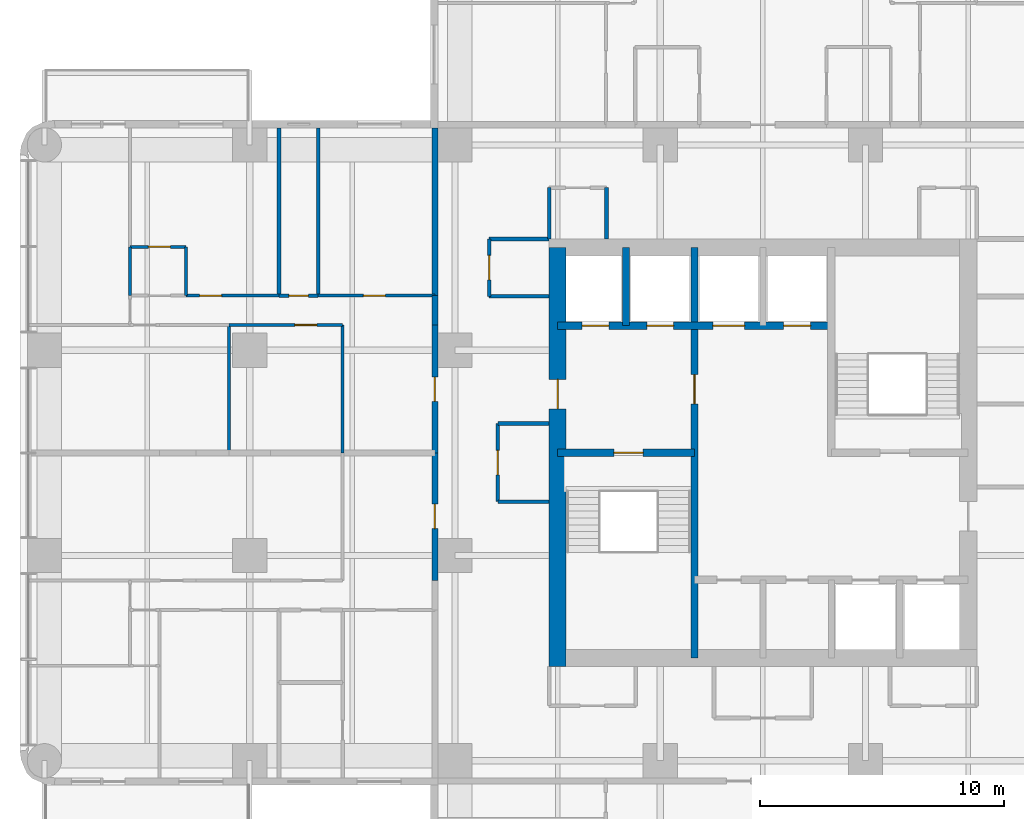
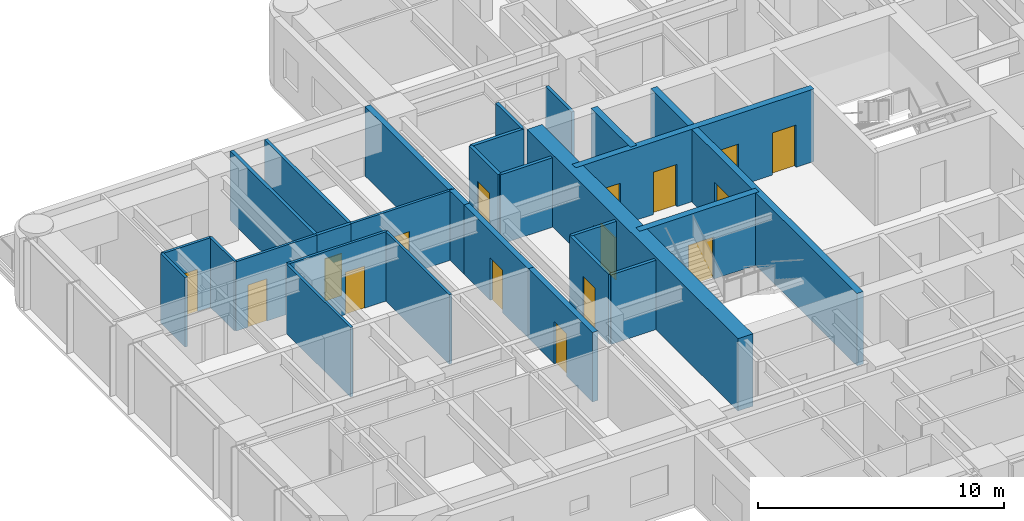
# One storey, part 6 of 11: 28 walls, 16 doors, 16 openings.
"""IFC4 building model written with IfcOpenShell, lengths in metres."""

from ifc_helpers import new_model, si_unit, direction, frame, frame_2d, origin, place, context, subcontext, project, spatial, rectangle, extrude, material, layer, layer_set, type_object, element, fill, save


model = new_model("IFC4")

# Units and contexts
model_context = context("Model", 3, precision=1e-05, world=origin(), true_north=direction((0.0, 1.0)))
body_context = subcontext(model_context, "Body", "Model", "MODEL_VIEW")
ifc_project = project(units=[si_unit("LENGTHUNIT", "METRE"), si_unit("AREAUNIT", "SQUARE_METRE"), si_unit("VOLUMEUNIT", "CUBIC_METRE"), si_unit("PLANEANGLEUNIT", "RADIAN"), si_unit("MASSUNIT", "GRAM", prefix="KILO")], contexts=[model_context])

# Site, building, storey
site_placement = place(None, origin())
site = spatial("IfcSite", under=ifc_project, at=site_placement, CompositionType="ELEMENT")
building_placement = place(site_placement, origin())
building = spatial("IfcBuilding", under=site, at=building_placement, Name="Torre Alcanfor", CompositionType="ELEMENT")
storey_placement = place(building_placement, frame((0.0, 0.0, 230.10009765625)))
storey = spatial("IfcBuildingStorey", under=building, at=storey_placement, Name="L60", CompositionType="ELEMENT", Elevation=230.10009765625)

# Wall, opening, door
ifc_material_1 = material(Name="Concrete block masonry, hollow blocks NMX-C-404 9 MPa", Category="masonry")
ifc_layer_1 = layer(ifc_material_1, 0.25)
ifc_layer_set_1 = layer_set([ifc_layer_1], Name="Apartment entrance wall 250 EI 60")
wall_type_1 = type_object("IfcWallType", Name="Apartment entrance wall 250 EI 60", PredefinedType="PARTITIONING", material=ifc_layer_set_1)
wall_1_placement = place(storey_placement, frame((15.97509765625, 24.1708984375, 0.0), z_axis=(0.0, 0.0, 1.0), x_axis=(0.0, 1.0, 0.0)))
wall_1 = element("IfcWall", 1, at=wall_1_placement, inside=storey, type_object=wall_type_1, Name="Partition L60-CORR / L60-W1-ZAG", PredefinedType="PARTITIONING", context=body_context, shape_type="SweptSolid", body=[
    extrude(rectangle(XDim=5.22900390625, YDim=0.25, at=frame_2d((2.614501953125, 0.0))), origin(), (0.0, 0.0, 1.0), 3.449951171875),
])
opening_1_placement = place(wall_1_placement, frame((2.12890625, 0.0, 0.0)))
opening_1 = element("IfcOpeningElement", 2, at=opening_1_placement, cuts=wall_1, Name="Opening D-A1", PredefinedType="OPENING", context=body_context, shape_type="SweptSolid", body=[
    extrude(rectangle(XDim=1.0, YDim=2.10009765625, at=frame_2d((0.5, 1.050048828125))), frame((0.0, 0.135009765625, 0.0), z_axis=(0.0, -1.0, 0.0), x_axis=(1.0, 0.0, 0.0)), (0.0, 0.0, 1.0), 0.27001953125),
])
ifc_material_2 = material(Name="Galvanised steel sheet ASTM A653", Category="steel")
door_type_1 = type_object("IfcDoorType", Name="Apartment entrance door FD60 1000x2100", OperationType="SINGLE_SWING_LEFT", PredefinedType="DOOR", material=ifc_material_2)
door_1_placement = place(opening_1_placement, origin())
door_1 = element("IfcDoor", 3, at=door_1_placement, inside=storey, type_object=door_type_1, Name="Apartment entrance L60-W1", OperationType="SINGLE_SWING_RIGHT", OverallHeight=2.10009765625, OverallWidth=1.0, PredefinedType="DOOR", context=body_context, shape_type="SweptSolid", body=[
    extrude(rectangle(XDim=1.0, YDim=2.10009765625, at=frame_2d((0.5, 1.050048828125))), frame((0.0, 0.02490234375, 0.0), z_axis=(0.0, -1.0, 0.0), x_axis=(1.0, 0.0, 0.0)), (0.0, 0.0, 1.0), 0.050048828125),
])
fill(opening_1, door_1)

wall_2_placement = place(storey_placement, frame((15.97509765625, 29.39990234375, 0.0), z_axis=(0.0, 0.0, 1.0), x_axis=(0.0, 1.0, 0.0)))
wall_2 = element("IfcWall", 4, at=wall_2_placement, inside=storey, type_object=wall_type_1, Name="Partition L60-CORR / L60-W2-ZAG", PredefinedType="PARTITIONING", context=body_context, shape_type="SweptSolid", body=[
    extrude(rectangle(XDim=5.22900390625, YDim=0.25, at=frame_2d((2.614501953125, 0.0))), origin(), (0.0, 0.0, 1.0), 3.449951171875),
])
opening_2_placement = place(wall_2_placement, frame((2.10009765625, 0.0, 0.0)))
opening_2 = element("IfcOpeningElement", 5, at=opening_2_placement, cuts=wall_2, Name="Opening D-A1", PredefinedType="OPENING", context=body_context, shape_type="SweptSolid", body=[
    extrude(rectangle(XDim=1.0, YDim=2.10009765625, at=frame_2d((0.5, 1.050048828125))), frame((0.0, 0.135009765625, 0.0), z_axis=(0.0, -1.0, 0.0), x_axis=(1.0, 0.0, 0.0)), (0.0, 0.0, 1.0), 0.27001953125),
])
door_2_placement = place(opening_2_placement, origin())
door_2 = element("IfcDoor", 6, at=door_2_placement, inside=storey, type_object=door_type_1, Name="Apartment entrance L60-W2", OperationType="SINGLE_SWING_LEFT", OverallHeight=2.10009765625, OverallWidth=1.0, PredefinedType="DOOR", context=body_context, shape_type="SweptSolid", body=[
    extrude(rectangle(XDim=1.0, YDim=2.10009765625, at=frame_2d((0.5, 1.050048828125))), frame((0.0, 0.02490234375, 0.0), z_axis=(0.0, -1.0, 0.0), x_axis=(1.0, 0.0, 0.0)), (0.0, 0.0, 1.0), 0.050048828125),
])
fill(opening_2, door_2)

# Walls
wall_3_placement = place(storey_placement, frame((15.97509765625, 34.62890625, 0.0), z_axis=(0.0, 0.0, 1.0), x_axis=(0.0, 1.0, 0.0)))
element("IfcWall", 7, at=wall_3_placement, inside=storey, type_object=wall_type_1, Name="Partition L60-CORR / L60-W2-HALL", PredefinedType="PARTITIONING", context=body_context, shape_type="SweptSolid", body=[
    extrude(rectangle(XDim=1.2001953125, YDim=0.25, at=frame_2d((0.60009765625, 0.0))), origin(), (0.0, 0.0, 1.0), 3.449951171875),
])
wall_4_placement = place(storey_placement, frame((15.97509765625, 35.8291015625, 0.0), z_axis=(0.0, 0.0, 1.0), x_axis=(0.0, 1.0, 0.0)))
element("IfcWall", 8, at=wall_4_placement, inside=storey, type_object=wall_type_1, Name="Partition L60-CORR / L60-W2-BED2", PredefinedType="PARTITIONING", context=body_context, shape_type="SweptSolid", body=[
    extrude(rectangle(XDim=6.870849609375, YDim=0.25, at=frame_2d((3.435546875, 0.0))), origin(), (0.0, 0.0, 1.0), 3.449951171875),
])
ifc_material_3 = material(Name="Gypsum board on steel studs", Category="steel")
ifc_layer_2 = layer(ifc_material_3, 0.1201171875)
ifc_layer_set_2 = layer_set([ifc_layer_2], Name="Apartment partition 120")
wall_type_2 = type_object("IfcWallType", Name="Apartment partition 120", PredefinedType="PARTITIONING", material=ifc_layer_set_2)
for number, where, z_axis, x_axis, name in (
    (9, (12.199951171875, 29.39990234375, 0.0), (0.0, 0.0, 1.0), (0.0, 1.0, 0.0), "Partition L60-W2-ZAG / L60-W2-FAMILY"),
    (10, (7.550048828125, 29.39990234375, 0.0), (0.0, 0.0, 1.0), (0.0, 1.0, 0.0), "Partition L60-W2-FAMILY / L60-W2-KITCHEN"),
):
    element("IfcWall", number, at=place(storey_placement, frame(where, z_axis=z_axis, x_axis=x_axis)), inside=storey, type_object=wall_type_2, Name=name, PredefinedType="PARTITIONING", context=body_context, shape_type="SweptSolid", body=[
        extrude(rectangle(XDim=5.22900390625, YDim=0.1201171875, at=frame_2d((2.614501953125, 0.0))), origin(), (0.0, 0.0, 1.0), 3.449951171875),
    ])

# Wall, opening, door
wall_5_placement = place(storey_placement, frame((7.550048828125, 34.62890625, 0.0), z_axis=(0.0, 0.0, 1.0), x_axis=(1.0, 0.0, 0.0)))
wall_5 = element("IfcWall", 11, at=wall_5_placement, inside=storey, type_object=wall_type_2, Name="Partition L60-W2-FAMILY / L60-W2-HALL", PredefinedType="PARTITIONING", context=body_context, shape_type="SweptSolid", body=[
    extrude(rectangle(XDim=4.64990234375, YDim=0.1201171875, at=frame_2d((2.324951171875, 0.0))), origin(), (0.0, 0.0, 1.0), 3.449951171875),
])
opening_3_placement = place(wall_5_placement, frame((2.699951171875, 0.0, 0.0)))
opening_3 = element("IfcOpeningElement", 12, at=opening_3_placement, cuts=wall_5, Name="Opening D-R1", PredefinedType="OPENING", context=body_context, shape_type="SweptSolid", body=[
    extrude(rectangle(XDim=0.89990234375, YDim=2.10009765625, at=frame_2d((0.449951171875, 1.050048828125))), frame((0.0, 0.070068359375, 0.0), z_axis=(0.0, -1.0, 0.0), x_axis=(1.0, 0.0, 0.0)), (0.0, 0.0, 1.0), 0.14013671875),
])
ifc_material_4 = material(Name="Timber", Category="wood")
door_type_2 = type_object("IfcDoorType", Name="Internal door 900x2100", OperationType="SINGLE_SWING_LEFT", PredefinedType="DOOR", material=ifc_material_4)
door_3_placement = place(opening_3_placement, frame((0.89990234375, 0.0, 0.0), z_axis=(0.0, 0.0, 1.0), x_axis=(-1.0, 0.0, 0.0)))
door_3 = element("IfcDoor", 13, at=door_3_placement, inside=storey, type_object=door_type_2, Name="Door L60-W2 family", OperationType="SINGLE_SWING_LEFT", OverallHeight=2.10009765625, OverallWidth=0.89990234375, PredefinedType="DOOR", context=body_context, shape_type="SweptSolid", body=[
    extrude(rectangle(XDim=0.89990234375, YDim=2.10009765625, at=frame_2d((0.449951171875, 1.050048828125))), frame((0.0, 0.025146484375, 0.0), z_axis=(0.0, -1.0, 0.0), x_axis=(1.0, 0.0, 0.0)), (0.0, 0.0, 1.0), 0.050048828125),
])
fill(opening_3, door_3)

wall_6_placement = place(storey_placement, frame((11.199951171875, 35.8291015625, 0.0), z_axis=(0.0, 0.0, 1.0), x_axis=(1.0, 0.0, 0.0)))
wall_6 = element("IfcWall", 14, at=wall_6_placement, inside=storey, type_object=wall_type_2, Name="Partition L60-W2-HALL / L60-W2-BED2", PredefinedType="PARTITIONING", context=body_context, shape_type="SweptSolid", body=[
    extrude(rectangle(XDim=4.775146484375, YDim=0.1201171875, at=frame_2d((2.3876953125, 0.0))), origin(), (0.0, 0.0, 1.0), 3.449951171875),
])
opening_4_placement = place(wall_6_placement, frame((1.85009765625, 0.0, 0.0)))
opening_4 = element("IfcOpeningElement", 15, at=opening_4_placement, cuts=wall_6, Name="Opening D-R1", PredefinedType="OPENING", context=body_context, shape_type="SweptSolid", body=[
    extrude(rectangle(XDim=0.89990234375, YDim=2.10009765625, at=frame_2d((0.449951171875, 1.050048828125))), frame((0.0, 0.070068359375, 0.0), z_axis=(0.0, -1.0, 0.0), x_axis=(1.0, 0.0, 0.0)), (0.0, 0.0, 1.0), 0.14013671875),
])
door_4_placement = place(opening_4_placement, origin())
door_4 = element("IfcDoor", 16, at=door_4_placement, inside=storey, type_object=door_type_2, Name="Door L60-W2 bed2", OperationType="SINGLE_SWING_LEFT", OverallHeight=2.10009765625, OverallWidth=0.89990234375, PredefinedType="DOOR", context=body_context, shape_type="SweptSolid", body=[
    extrude(rectangle(XDim=0.89990234375, YDim=2.10009765625, at=frame_2d((0.449951171875, 1.050048828125))), frame((0.0, 0.02490234375, 0.0), z_axis=(0.0, -1.0, 0.0), x_axis=(1.0, 0.0, 0.0)), (0.0, 0.0, 1.0), 0.050048828125),
])
fill(opening_4, door_4)

wall_7_placement = place(storey_placement, frame((5.800048828125, 35.8291015625, 0.0), z_axis=(0.0, 0.0, 1.0), x_axis=(1.0, 0.0, 0.0)))
wall_7 = element("IfcWall", 17, at=wall_7_placement, inside=storey, type_object=wall_type_2, Name="Partition L60-W2-HALL / L60-W2-MASTER", PredefinedType="PARTITIONING", context=body_context, shape_type="SweptSolid", body=[
    extrude(rectangle(XDim=3.800048828125, YDim=0.1201171875, at=frame_2d((1.89990234375, 0.0))), origin(), (0.0, 0.0, 1.0), 3.449951171875),
])
opening_5_placement = place(wall_7_placement, frame((0.550048828125, 0.0, 0.0)))
opening_5 = element("IfcOpeningElement", 18, at=opening_5_placement, cuts=wall_7, Name="Opening D-R1", PredefinedType="OPENING", context=body_context, shape_type="SweptSolid", body=[
    extrude(rectangle(XDim=0.89990234375, YDim=2.10009765625, at=frame_2d((0.449951171875, 1.050048828125))), frame((0.0, 0.070068359375, 0.0), z_axis=(0.0, -1.0, 0.0), x_axis=(1.0, 0.0, 0.0)), (0.0, 0.0, 1.0), 0.14013671875),
])
door_5_placement = place(opening_5_placement, origin())
door_5 = element("IfcDoor", 19, at=door_5_placement, inside=storey, type_object=door_type_2, Name="Door L60-W2 master", OperationType="SINGLE_SWING_LEFT", OverallHeight=2.10009765625, OverallWidth=0.89990234375, PredefinedType="DOOR", context=body_context, shape_type="SweptSolid", body=[
    extrude(rectangle(XDim=0.89990234375, YDim=2.10009765625, at=frame_2d((0.449951171875, 1.050048828125))), frame((0.0, 0.02490234375, 0.0), z_axis=(0.0, -1.0, 0.0), x_axis=(1.0, 0.0, 0.0)), (0.0, 0.0, 1.0), 0.050048828125),
])
fill(opening_5, door_5)

# Wall
wall_8_placement = place(storey_placement, frame((5.800048828125, 35.8291015625, 0.0), z_axis=(0.0, 0.0, 1.0), x_axis=(0.0, 1.0, 0.0)))
element("IfcWall", 20, at=wall_8_placement, inside=storey, type_object=wall_type_2, Name="Partition L60-W2-MASTER / L60-W2-VEST", PredefinedType="PARTITIONING", context=body_context, shape_type="SweptSolid", body=[
    extrude(rectangle(XDim=2.0, YDim=0.1201171875, at=frame_2d((1.0, 0.0))), origin(), (0.0, 0.0, 1.0), 3.449951171875),
])

# Wall, opening, door
wall_9_placement = place(storey_placement, frame((5.800048828125, 37.8291015625, 0.0), z_axis=(0.0, 0.0, 1.0), x_axis=(-1.0, 0.0, 0.0)))
wall_9 = element("IfcWall", 21, at=wall_9_placement, inside=storey, type_object=wall_type_2, Name="Partition L60-W2-MASTER / L60-W2-VEST", PredefinedType="PARTITIONING", context=body_context, shape_type="SweptSolid", body=[
    extrude(rectangle(XDim=2.300048828125, YDim=0.1201171875, at=frame_2d((1.14990234375, 0.0))), origin(), (0.0, 0.0, 1.0), 3.449951171875),
])
opening_6_placement = place(wall_9_placement, frame((0.64990234375, 0.0, 0.0)))
opening_6 = element("IfcOpeningElement", 22, at=opening_6_placement, cuts=wall_9, Name="Opening D-R1", PredefinedType="OPENING", context=body_context, shape_type="SweptSolid", body=[
    extrude(rectangle(XDim=0.89990234375, YDim=2.10009765625, at=frame_2d((0.449951171875, 1.050048828125))), frame((0.0, 0.070068359375, 0.0), z_axis=(0.0, -1.0, 0.0), x_axis=(1.0, 0.0, 0.0)), (0.0, 0.0, 1.0), 0.14013671875),
])
door_6_placement = place(opening_6_placement, origin())
door_6 = element("IfcDoor", 23, at=door_6_placement, inside=storey, type_object=door_type_2, Name="Door L60-W2 master", OperationType="SINGLE_SWING_LEFT", OverallHeight=2.10009765625, OverallWidth=0.89990234375, PredefinedType="DOOR", context=body_context, shape_type="SweptSolid", body=[
    extrude(rectangle(XDim=0.89990234375, YDim=2.10009765625, at=frame_2d((0.449951171875, 1.050048828125))), frame((0.0, 0.02490234375, 0.0), z_axis=(0.0, -1.0, 0.0), x_axis=(1.0, 0.0, 0.0)), (0.0, 0.0, 1.0), 0.050048828125),
])
fill(opening_6, door_6)

# Wall
wall_10_placement = place(storey_placement, frame((3.5, 35.8291015625, 0.0), z_axis=(0.0, 0.0, 1.0), x_axis=(0.0, 1.0, 0.0)))
element("IfcWall", 24, at=wall_10_placement, inside=storey, type_object=wall_type_2, Name="Partition L60-W2-VEST / L60-W2-WGARD", PredefinedType="PARTITIONING", context=body_context, shape_type="SweptSolid", body=[
    extrude(rectangle(XDim=2.0, YDim=0.1201171875, at=frame_2d((1.0, 0.0))), origin(), (0.0, 0.0, 1.0), 3.449951171875),
])

# Wall, opening, door
ifc_material_5 = material(Name="Concrete f'c 70 MPa", Category="concrete")
ifc_layer_3 = layer(ifc_material_5, 0.300048828125)
ifc_layer_set_3 = layer_set([ifc_layer_3], Name="Core inner wall 300 f'c70")
wall_type_3 = type_object("IfcWallType", Name="Core inner wall 300 f'c70", PredefinedType="SHEAR", material=ifc_layer_set_3)
wall_11_placement = place(storey_placement, frame((26.60009765625, 21.0, 0.0), z_axis=(0.0, 0.0, 1.0), x_axis=(0.0, 1.0, 0.0)))
wall_11 = element("IfcWall", 25, at=wall_11_placement, inside=storey, type_object=wall_type_3, Name="Core wall X266 L60", PredefinedType="SHEAR", context=body_context, shape_type="SweptSolid", body=[
    extrude(rectangle(XDim=16.800048828125, YDim=0.300048828125, at=frame_2d((8.39990234375, 0.0))), origin(), (0.0, 0.0, 1.0), 3.599853515625),
])
opening_7_placement = place(wall_11_placement, frame((10.39990234375, 0.0, 0.0)))
opening_7 = element("IfcOpeningElement", 26, at=opening_7_placement, cuts=wall_11, Name="Opening D-L1", PredefinedType="OPENING", context=body_context, shape_type="SweptSolid", body=[
    extrude(rectangle(XDim=1.199951171875, YDim=2.10009765625, at=frame_2d((0.60009765625, 1.050048828125))), frame((0.0, 0.159912109375, 0.0), z_axis=(0.0, -1.0, 0.0), x_axis=(1.0, 0.0, 0.0)), (0.0, 0.0, 1.0), 0.320068359375),
])
ifc_material_6 = material(Name="Galvanised steel sheet ASTM A653", Category="steel")
door_type_3 = type_object("IfcDoorType", Name="Lobby door FD120 1200x2100", OperationType="SINGLE_SWING_LEFT", PredefinedType="DOOR", material=ifc_material_6)
door_7_placement = place(opening_7_placement, origin())
door_7 = element("IfcDoor", 27, at=door_7_placement, inside=storey, type_object=door_type_3, Name="Lift lobby door L60", OperationType="SINGLE_SWING_LEFT", OverallHeight=2.10009765625, OverallWidth=1.199951171875, PredefinedType="DOOR", context=body_context, shape_type="SweptSolid", body=[
    extrude(rectangle(XDim=1.199951171875, YDim=2.10009765625, at=frame_2d((0.60009765625, 1.050048828125))), frame((0.0, 0.02490234375, 0.0), z_axis=(0.0, -1.0, 0.0), x_axis=(1.0, 0.0, 0.0)), (0.0, 0.0, 1.0), 0.050048828125),
])
fill(opening_7, door_7)

wall_12_placement = place(storey_placement, frame((21.0, 29.39990234375, 0.0), z_axis=(0.0, 0.0, 1.0), x_axis=(1.0, 0.0, 0.0)))
wall_12 = element("IfcWall", 28, at=wall_12_placement, inside=storey, type_object=wall_type_3, Name="Core wall Y294W L60", PredefinedType="SHEAR", context=body_context, shape_type="SweptSolid", body=[
    extrude(rectangle(XDim=5.60009765625, YDim=0.300048828125, at=frame_2d((2.800048828125, 0.0))), origin(), (0.0, 0.0, 1.0), 3.599853515625),
])
opening_8_placement = place(wall_12_placement, frame((2.300048828125, 0.0, 0.0)))
opening_8 = element("IfcOpeningElement", 29, at=opening_8_placement, cuts=wall_12, Name="Opening D-S2", PredefinedType="OPENING", context=body_context, shape_type="SweptSolid", body=[
    extrude(rectangle(XDim=1.199951171875, YDim=2.10009765625, at=frame_2d((0.60009765625, 1.050048828125))), frame((0.0, 0.159912109375, 0.0), z_axis=(0.0, -1.0, 0.0), x_axis=(1.0, 0.0, 0.0)), (0.0, 0.0, 1.0), 0.320068359375),
])
ifc_material_7 = material(Name="Galvanised steel sheet ASTM A653", Category="steel")
door_type_4 = type_object("IfcDoorType", Name="Stair enclosure door FD120 1200x2100", OperationType="SINGLE_SWING_LEFT", PredefinedType="DOOR", material=ifc_material_7)
door_8_placement = place(opening_8_placement, frame((1.199951171875, 0.0, 0.0), z_axis=(0.0, 0.0, 1.0), x_axis=(-1.0, 0.0, 0.0)))
door_8 = element("IfcDoor", 30, at=door_8_placement, inside=storey, type_object=door_type_4, Name="Stair S1 door L60", OperationType="SINGLE_SWING_LEFT", OverallHeight=2.10009765625, OverallWidth=1.199951171875, PredefinedType="DOOR", context=body_context, shape_type="SweptSolid", body=[
    extrude(rectangle(XDim=1.199951171875, YDim=2.10009765625, at=frame_2d((0.599853515625, 1.050048828125))), frame((0.0, 0.025146484375, 0.0), z_axis=(0.0, -1.0, 0.0), x_axis=(1.0, 0.0, 0.0)), (0.0, 0.0, 1.0), 0.050048828125),
])
fill(opening_8, door_8)

# Wall, openings, doors
wall_13_placement = place(storey_placement, frame((21.0, 34.60009765625, 0.0), z_axis=(0.0, 0.0, 1.0), x_axis=(1.0, 0.0, 0.0)))
wall_13 = element("IfcWall", 31, at=wall_13_placement, inside=storey, type_object=wall_type_3, Name="Core wall Y346 L60", PredefinedType="SHEAR", context=body_context, shape_type="SweptSolid", body=[
    extrude(rectangle(XDim=11.199951171875, YDim=0.300048828125, at=frame_2d((5.60009765625, 0.0))), origin(), (0.0, 0.0, 1.0), 3.599853515625),
])
opening_9_placement = place(wall_13_placement, frame((9.25, 0.0, 0.0)))
opening_9 = element("IfcOpeningElement", 32, at=opening_9_placement, cuts=wall_13, Name="Opening LD1", PredefinedType="OPENING", context=body_context, shape_type="SweptSolid", body=[
    extrude(rectangle(XDim=1.10009765625, YDim=2.10009765625, at=frame_2d((0.550048828125, 1.050048828125))), frame((0.0, 0.159912109375, 0.0), z_axis=(0.0, -1.0, 0.0), x_axis=(1.0, 0.0, 0.0)), (0.0, 0.0, 1.0), 0.320068359375),
])
opening_10_placement = place(wall_13_placement, frame((1.0, 0.0, 0.0)))
opening_10 = element("IfcOpeningElement", 33, at=opening_10_placement, cuts=wall_13, Name="Opening LD2", PredefinedType="OPENING", context=body_context, shape_type="SweptSolid", body=[
    extrude(rectangle(XDim=1.10009765625, YDim=2.10009765625, at=frame_2d((0.550048828125, 1.050048828125))), frame((0.0, 0.159912109375, 0.0), z_axis=(0.0, -1.0, 0.0), x_axis=(1.0, 0.0, 0.0)), (0.0, 0.0, 1.0), 0.320068359375),
])
opening_11_placement = place(wall_13_placement, frame((3.64990234375, 0.0, 0.0)))
opening_11 = element("IfcOpeningElement", 34, at=opening_11_placement, cuts=wall_13, Name="Opening LD2", PredefinedType="OPENING", context=body_context, shape_type="SweptSolid", body=[
    extrude(rectangle(XDim=1.10009765625, YDim=2.10009765625, at=frame_2d((0.550048828125, 1.050048828125))), frame((0.0, 0.159912109375, 0.0), z_axis=(0.0, -1.0, 0.0), x_axis=(1.0, 0.0, 0.0)), (0.0, 0.0, 1.0), 0.320068359375),
])
opening_12_placement = place(wall_13_placement, frame((6.35009765625, 0.0, 0.0)))
opening_12 = element("IfcOpeningElement", 35, at=opening_12_placement, cuts=wall_13, Name="Opening LD3", PredefinedType="OPENING", context=body_context, shape_type="SweptSolid", body=[
    extrude(rectangle(XDim=1.300048828125, YDim=2.10009765625, at=frame_2d((0.64990234375, 1.050048828125))), frame((0.0, 0.159912109375, 0.0), z_axis=(0.0, -1.0, 0.0), x_axis=(1.0, 0.0, 0.0)), (0.0, 0.0, 1.0), 0.320068359375),
])
ifc_material_8 = material(Name="Galvanised steel sheet ASTM A653", Category="steel")
door_type_5 = type_object("IfcDoorType", Name="Firefighting lift landing door 1100x2100", OperationType="DOUBLE_DOOR_SLIDING", PredefinedType="DOOR", material=ifc_material_8)
door_9_placement = place(opening_10_placement, origin())
door_9 = element("IfcDoor", 36, at=door_9_placement, inside=storey, type_object=door_type_5, Name="Lift landing door FL1 L60", OperationType="DOUBLE_DOOR_SLIDING", OverallHeight=2.10009765625, OverallWidth=1.10009765625, PredefinedType="DOOR", context=body_context, shape_type="SweptSolid", body=[
    extrude(rectangle(XDim=1.10009765625, YDim=2.10009765625, at=frame_2d((0.550048828125, 1.050048828125))), frame((0.0, 0.02490234375, 0.0), z_axis=(0.0, -1.0, 0.0), x_axis=(1.0, 0.0, 0.0)), (0.0, 0.0, 1.0), 0.050048828125),
])
fill(opening_10, door_9)
door_10_placement = place(opening_11_placement, origin())
door_10 = element("IfcDoor", 37, at=door_10_placement, inside=storey, type_object=door_type_5, Name="Lift landing door FL2 L60", OperationType="DOUBLE_DOOR_SLIDING", OverallHeight=2.10009765625, OverallWidth=1.10009765625, PredefinedType="DOOR", context=body_context, shape_type="SweptSolid", body=[
    extrude(rectangle(XDim=1.10009765625, YDim=2.10009765625, at=frame_2d((0.550048828125, 1.050048828125))), frame((0.0, 0.02490234375, 0.0), z_axis=(0.0, -1.0, 0.0), x_axis=(1.0, 0.0, 0.0)), (0.0, 0.0, 1.0), 0.050048828125),
])
fill(opening_11, door_10)
ifc_material_9 = material(Name="Galvanised steel sheet ASTM A653", Category="steel")
door_type_6 = type_object("IfcDoorType", Name="Lift landing door 1100x2100", OperationType="DOUBLE_DOOR_SLIDING", PredefinedType="DOOR", material=ifc_material_9)
door_11_placement = place(opening_9_placement, origin())
door_11 = element("IfcDoor", 38, at=door_11_placement, inside=storey, type_object=door_type_6, Name="Lift landing door PA5 L60", OperationType="DOUBLE_DOOR_SLIDING", OverallHeight=2.10009765625, OverallWidth=1.10009765625, PredefinedType="DOOR", context=body_context, shape_type="SweptSolid", body=[
    extrude(rectangle(XDim=1.10009765625, YDim=2.10009765625, at=frame_2d((0.550048828125, 1.050048828125))), frame((0.0, 0.02490234375, 0.0), z_axis=(0.0, -1.0, 0.0), x_axis=(1.0, 0.0, 0.0)), (0.0, 0.0, 1.0), 0.050048828125),
])
fill(opening_9, door_11)
ifc_material_10 = material(Name="Galvanised steel sheet ASTM A653", Category="steel")
door_type_7 = type_object("IfcDoorType", Name="Service lift landing door 1300x2100", OperationType="DOUBLE_DOOR_SLIDING", PredefinedType="DOOR", material=ifc_material_10)
door_12_placement = place(opening_12_placement, origin())
door_12 = element("IfcDoor", 39, at=door_12_placement, inside=storey, type_object=door_type_7, Name="Lift landing door SL1 L60", OperationType="DOUBLE_DOOR_SLIDING", OverallHeight=2.10009765625, OverallWidth=1.300048828125, PredefinedType="DOOR", context=body_context, shape_type="SweptSolid", body=[
    extrude(rectangle(XDim=1.300048828125, YDim=2.10009765625, at=frame_2d((0.64990234375, 1.050048828125))), frame((0.0, 0.02490234375, 0.0), z_axis=(0.0, -1.0, 0.0), x_axis=(1.0, 0.0, 0.0)), (0.0, 0.0, 1.0), 0.050048828125),
])
fill(opening_12, door_12)

# Wall
wall_14_placement = place(storey_placement, frame((23.800048828125, 34.60009765625, 0.0), z_axis=(0.0, 0.0, 1.0), x_axis=(0.0, 1.0, 0.0)))
element("IfcWall", 40, at=wall_14_placement, inside=storey, type_object=wall_type_3, Name="Core wall X238 L60", PredefinedType="SHEAR", context=body_context, shape_type="SweptSolid", body=[
    extrude(rectangle(XDim=3.199951171875, YDim=0.300048828125, at=frame_2d((1.60009765625, 0.0))), origin(), (0.0, 0.0, 1.0), 3.599853515625),
])

# Wall, opening, door
ifc_material_11 = material(Name="Concrete f'c 70 MPa", Category="concrete")
ifc_layer_4 = layer(ifc_material_11, 0.699951171875)
ifc_layer_set_4 = layer_set([ifc_layer_4], Name="Core wall 700 f'c70")
wall_type_4 = type_object("IfcWallType", Name="Core wall 700 f'c70", PredefinedType="SHEAR", material=ifc_layer_set_4)
wall_15_placement = place(storey_placement, frame((21.0, 37.800048828125, 0.0), z_axis=(0.0, 0.0, 1.0), x_axis=(0.0, -1.0, 0.0)))
wall_15 = element("IfcWall", 41, at=wall_15_placement, inside=storey, type_object=wall_type_4, Name="Core wall OUT-W L60", PredefinedType="SHEAR", context=body_context, shape_type="SweptSolid", body=[
    extrude(rectangle(XDim=17.150146484375, YDim=0.699951171875, at=frame_2d((8.5751953125, 0.0))), origin(), (0.0, 0.0, 1.0), 3.599853515625),
])
opening_13_placement = place(wall_15_placement, frame((5.39990234375, 0.0, 0.0)))
opening_13 = element("IfcOpeningElement", 42, at=opening_13_placement, cuts=wall_15, Name="Opening D-L1", PredefinedType="OPENING", context=body_context, shape_type="SweptSolid", body=[
    extrude(rectangle(XDim=1.199951171875, YDim=2.10009765625, at=frame_2d((0.60009765625, 1.050048828125))), frame((0.0, 0.35986328125, 0.0), z_axis=(0.0, -1.0, 0.0), x_axis=(1.0, 0.0, 0.0)), (0.0, 0.0, 1.0), 0.719970703125),
])
door_13_placement = place(opening_13_placement, origin())
door_13 = element("IfcDoor", 43, at=door_13_placement, inside=storey, type_object=door_type_3, Name="Firefighting lobby door L60", OperationType="SINGLE_SWING_LEFT", OverallHeight=2.10009765625, OverallWidth=1.199951171875, PredefinedType="DOOR", context=body_context, shape_type="SweptSolid", body=[
    extrude(rectangle(XDim=1.199951171875, YDim=2.10009765625, at=frame_2d((0.60009765625, 1.050048828125))), frame((0.0, 0.02490234375, 0.0), z_axis=(0.0, -1.0, 0.0), x_axis=(1.0, 0.0, 0.0)), (0.0, 0.0, 1.0), 0.050048828125),
])
fill(opening_13, door_13)

# Walls
ifc_material_12 = material(Name="Concrete block masonry, hollow blocks NMX-C-404 9 MPa", Category="masonry")
ifc_layer_5 = layer(ifc_material_12, 0.14990234375)
ifc_layer_set_5 = layer_set([ifc_layer_5], Name="Residents' room partition 150")
wall_type_5 = type_object("IfcWallType", Name="Residents' room partition 150", PredefinedType="PARTITIONING", material=ifc_layer_set_5)
for number, where, z_axis, x_axis, name in (
    (44, (23.0, 38.14990234375, 0.0), (0.0, 0.0, 1.0), (0.0, 1.0, 0.0), "Partition L60-CORR / L60-G01"),
    (45, (20.64990234375, 40.25, 0.0), (0.0, 0.0, 1.0), (0.0, -1.0, 0.0), "Partition L60-CORR / L60-G01"),
):
    element("IfcWall", number, at=place(storey_placement, frame(where, z_axis=z_axis, x_axis=x_axis)), inside=storey, type_object=wall_type_5, Name=name, PredefinedType="PARTITIONING", context=body_context, shape_type="SweptSolid", body=[
        extrude(rectangle(XDim=2.10009765625, YDim=0.14990234375, at=frame_2d((1.050048828125, 0.0))), origin(), (0.0, 0.0, 1.0), 3.449951171875),
    ])
wall_16_placement = place(storey_placement, frame((20.64990234375, 30.60009765625, 0.0), z_axis=(0.0, 0.0, 1.0), x_axis=(-1.0, 0.0, 0.0)))
element("IfcWall", 46, at=wall_16_placement, inside=storey, type_object=wall_type_5, Name="Partition L60-CORR / L60-G08", PredefinedType="PARTITIONING", context=body_context, shape_type="SweptSolid", body=[
    extrude(rectangle(XDim=2.099853515625, YDim=0.14990234375, at=frame_2d((1.0498046875, 0.0))), origin(), (0.0, 0.0, 1.0), 3.449951171875),
])

# Wall, opening, door
wall_17_placement = place(storey_placement, frame((18.550048828125, 30.60009765625, 0.0), z_axis=(0.0, 0.0, 1.0), x_axis=(0.0, -1.0, 0.0)))
wall_17 = element("IfcWall", 47, at=wall_17_placement, inside=storey, type_object=wall_type_5, Name="Partition L60-CORR / L60-G08", PredefinedType="PARTITIONING", context=body_context, shape_type="SweptSolid", body=[
    extrude(rectangle(XDim=3.2001953125, YDim=0.14990234375, at=frame_2d((1.60009765625, 0.0))), origin(), (0.0, 0.0, 1.0), 3.449951171875),
])
opening_14_placement = place(wall_17_placement, frame((1.10009765625, 0.0, 0.0)))
opening_14 = element("IfcOpeningElement", 48, at=opening_14_placement, cuts=wall_17, Name="Opening D-M1", PredefinedType="OPENING", context=body_context, shape_type="SweptSolid", body=[
    extrude(rectangle(XDim=1.0, YDim=2.10009765625, at=frame_2d((0.5, 1.050048828125))), frame((0.0, 0.0849609375, 0.0), z_axis=(0.0, -1.0, 0.0), x_axis=(1.0, 0.0, 0.0)), (0.0, 0.0, 1.0), 0.169921875),
])
ifc_material_13 = material(Name="Timber", Category="wood")
door_type_8 = type_object("IfcDoorType", Name="Residents' room door 1000x2100", OperationType="SINGLE_SWING_LEFT", PredefinedType="DOOR", material=ifc_material_13)
door_14_placement = place(opening_14_placement, origin())
door_14 = element("IfcDoor", 49, at=door_14_placement, inside=storey, type_object=door_type_8, Name="Door L60-G08 parcel room", OperationType="SINGLE_SWING_LEFT", OverallHeight=2.10009765625, OverallWidth=1.0, PredefinedType="DOOR", context=body_context, shape_type="SweptSolid", body=[
    extrude(rectangle(XDim=1.0, YDim=2.10009765625, at=frame_2d((0.5, 1.050048828125))), frame((0.0, 0.02490234375, 0.0), z_axis=(0.0, -1.0, 0.0), x_axis=(1.0, 0.0, 0.0)), (0.0, 0.0, 1.0), 0.050048828125),
])
fill(opening_14, door_14)

# Walls
wall_18_placement = place(storey_placement, frame((18.550048828125, 27.39990234375, 0.0), z_axis=(0.0, 0.0, 1.0), x_axis=(1.0, 0.0, 0.0)))
element("IfcWall", 50, at=wall_18_placement, inside=storey, type_object=wall_type_5, Name="Partition L60-CORR / L60-G08", PredefinedType="PARTITIONING", context=body_context, shape_type="SweptSolid", body=[
    extrude(rectangle(XDim=2.099853515625, YDim=0.14990234375, at=frame_2d((1.0498046875, 0.0))), origin(), (0.0, 0.0, 1.0), 3.449951171875),
])
wall_19_placement = place(storey_placement, frame((20.64990234375, 38.14990234375, 0.0), z_axis=(0.0, 0.0, 1.0), x_axis=(-1.0, 0.0, 0.0)))
element("IfcWall", 51, at=wall_19_placement, inside=storey, type_object=wall_type_5, Name="Partition L60-CORR / L60-G09", PredefinedType="PARTITIONING", context=body_context, shape_type="SweptSolid", body=[
    extrude(rectangle(XDim=2.449951171875, YDim=0.14990234375, at=frame_2d((1.22509765625, 0.0))), origin(), (0.0, 0.0, 1.0), 3.449951171875),
])

# Wall, opening, door
wall_20_placement = place(storey_placement, frame((18.199951171875, 38.14990234375, 0.0), z_axis=(0.0, 0.0, 1.0), x_axis=(0.0, -1.0, 0.0)))
wall_20 = element("IfcWall", 52, at=wall_20_placement, inside=storey, type_object=wall_type_5, Name="Partition L60-CORR / L60-G09", PredefinedType="PARTITIONING", context=body_context, shape_type="SweptSolid", body=[
    extrude(rectangle(XDim=2.349853515625, YDim=0.14990234375, at=frame_2d((1.1748046875, 0.0))), origin(), (0.0, 0.0, 1.0), 3.449951171875),
])
opening_15_placement = place(wall_20_placement, frame((0.675048828125, 0.0, 0.0)))
opening_15 = element("IfcOpeningElement", 53, at=opening_15_placement, cuts=wall_20, Name="Opening D-M1", PredefinedType="OPENING", context=body_context, shape_type="SweptSolid", body=[
    extrude(rectangle(XDim=1.0, YDim=2.10009765625, at=frame_2d((0.5, 1.050048828125))), frame((0.0, 0.0849609375, 0.0), z_axis=(0.0, -1.0, 0.0), x_axis=(1.0, 0.0, 0.0)), (0.0, 0.0, 1.0), 0.169921875),
])
door_15_placement = place(opening_15_placement, origin())
door_15 = element("IfcDoor", 54, at=door_15_placement, inside=storey, type_object=door_type_8, Name="Door L60-G09 cleaners' store", OperationType="SINGLE_SWING_LEFT", OverallHeight=2.10009765625, OverallWidth=1.0, PredefinedType="DOOR", context=body_context, shape_type="SweptSolid", body=[
    extrude(rectangle(XDim=1.0, YDim=2.10009765625, at=frame_2d((0.5, 1.050048828125))), frame((0.0, 0.02490234375, 0.0), z_axis=(0.0, -1.0, 0.0), x_axis=(1.0, 0.0, 0.0)), (0.0, 0.0, 1.0), 0.050048828125),
])
fill(opening_15, door_15)

# Wall
wall_21_placement = place(storey_placement, frame((18.199951171875, 35.800048828125, 0.0), z_axis=(0.0, 0.0, 1.0), x_axis=(1.0, 0.0, 0.0)))
element("IfcWall", 55, at=wall_21_placement, inside=storey, type_object=wall_type_5, Name="Partition L60-CORR / L60-G09", PredefinedType="PARTITIONING", context=body_context, shape_type="SweptSolid", body=[
    extrude(rectangle(XDim=2.449951171875, YDim=0.14990234375, at=frame_2d((1.22509765625, 0.0))), origin(), (0.0, 0.0, 1.0), 3.449951171875),
])

# Wall, opening, door
ifc_material_14 = material(Name="Cement board on steel studs", Category="steel")
ifc_layer_6 = layer(ifc_material_14, 0.14990234375)
ifc_layer_set_6 = layer_set([ifc_layer_6], Name="Wet area partition 150")
wall_type_6 = type_object("IfcWallType", Name="Wet area partition 150", PredefinedType="PARTITIONING", material=ifc_layer_set_6)
wall_22_placement = place(storey_placement, frame((9.60009765625, 35.8291015625, 0.0), z_axis=(0.0, 0.0, 1.0), x_axis=(1.0, 0.0, 0.0)))
wall_22 = element("IfcWall", 56, at=wall_22_placement, inside=storey, type_object=wall_type_6, Name="Partition L60-W2-HALL / L60-W2-BATH1", PredefinedType="PARTITIONING", context=body_context, shape_type="SweptSolid", body=[
    extrude(rectangle(XDim=1.599853515625, YDim=0.14990234375, at=frame_2d((0.7998046875, 0.0))), origin(), (0.0, 0.0, 1.0), 3.449951171875),
])
opening_16_placement = place(wall_22_placement, frame((0.39990234375, 0.0, 0.0)))
opening_16 = element("IfcOpeningElement", 57, at=opening_16_placement, cuts=wall_22, Name="Opening D-R2", PredefinedType="OPENING", context=body_context, shape_type="SweptSolid", body=[
    extrude(rectangle(XDim=0.800048828125, YDim=2.10009765625, at=frame_2d((0.39990234375, 1.050048828125))), frame((0.0, 0.0849609375, 0.0), z_axis=(0.0, -1.0, 0.0), x_axis=(1.0, 0.0, 0.0)), (0.0, 0.0, 1.0), 0.169921875),
])
ifc_material_15 = material(Name="Timber", Category="wood")
door_type_9 = type_object("IfcDoorType", Name="Bathroom door 800x2100", OperationType="SINGLE_SWING_LEFT", PredefinedType="DOOR", material=ifc_material_15)
door_16_placement = place(opening_16_placement, origin())
door_16 = element("IfcDoor", 58, at=door_16_placement, inside=storey, type_object=door_type_9, Name="Door L60-W2 bath1", OperationType="SINGLE_SWING_LEFT", OverallHeight=2.10009765625, OverallWidth=0.800048828125, PredefinedType="DOOR", context=body_context, shape_type="SweptSolid", body=[
    extrude(rectangle(XDim=0.800048828125, YDim=2.10009765625, at=frame_2d((0.39990234375, 1.050048828125))), frame((0.0, 0.02490234375, 0.0), z_axis=(0.0, -1.0, 0.0), x_axis=(1.0, 0.0, 0.0)), (0.0, 0.0, 1.0), 0.050048828125),
])
fill(opening_16, door_16)

# Walls
for number, where, z_axis, x_axis, name in (
    (59, (11.199951171875, 35.8291015625, 0.0), (0.0, 0.0, 1.0), (0.0, 1.0, 0.0), "Partition L60-W2-BED2 / L60-W2-BATH1"),
    (60, (9.60009765625, 35.8291015625, 0.0), (0.0, 0.0, 1.0), (0.0, 1.0, 0.0), "Partition L60-W2-BATH1 / L60-W2-MASTER"),
):
    element("IfcWall", number, at=place(storey_placement, frame(where, z_axis=z_axis, x_axis=x_axis)), inside=storey, type_object=wall_type_6, Name=name, PredefinedType="PARTITIONING", context=body_context, shape_type="SweptSolid", body=[
        extrude(rectangle(XDim=6.870849609375, YDim=0.14990234375, at=frame_2d((3.435546875, 0.0))), origin(), (0.0, 0.0, 1.0), 3.449951171875),
    ])

save(model, "model.ifc")
